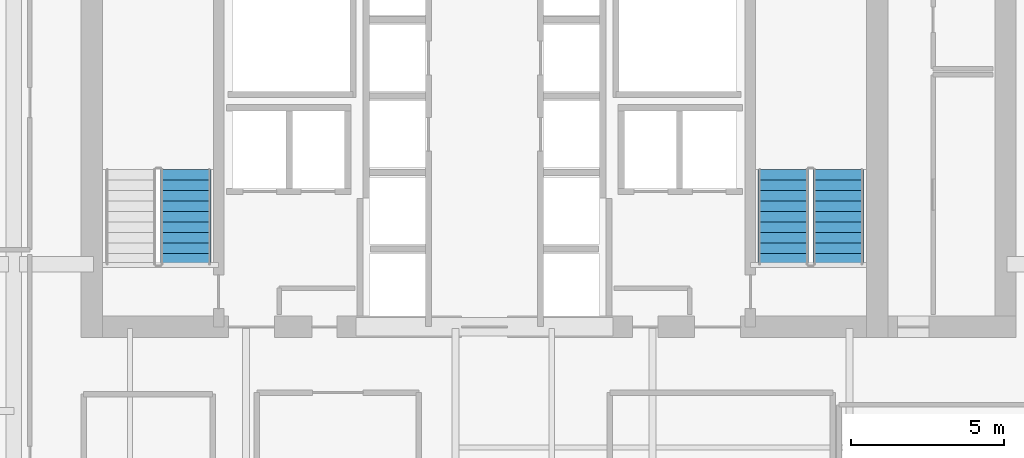
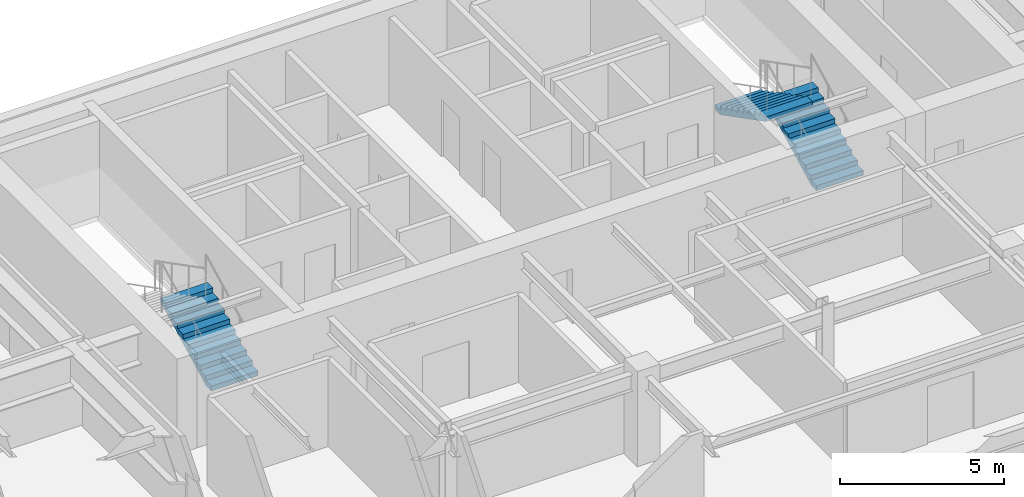
# One storey, part 13 of 14: 3 stair flights, 2 elements without a shape of their own.
"""IFC4 building model written with IfcOpenShell, lengths in metres."""

from ifc_helpers import new_model, si_unit, direction, frame, origin, place, context, subcontext, project, spatial, polyline, outline, extrude, material, type_object, element, aggregate, save


model = new_model("IFC4")

# Units and contexts
model_context = context("Model", 3, precision=1e-05, world=origin(), true_north=direction((0.0, 1.0)))
body_context = subcontext(model_context, "Body", "Model", "MODEL_VIEW")
ifc_project = project(units=[si_unit("LENGTHUNIT", "METRE"), si_unit("AREAUNIT", "SQUARE_METRE"), si_unit("VOLUMEUNIT", "CUBIC_METRE"), si_unit("PLANEANGLEUNIT", "RADIAN"), si_unit("MASSUNIT", "GRAM", prefix="KILO")], contexts=[model_context])

# Site, building, storey
site_placement = place(None, origin())
site = spatial("IfcSite", under=ifc_project, at=site_placement, CompositionType="ELEMENT")
building_placement = place(site_placement, origin())
building = spatial("IfcBuilding", under=site, at=building_placement, Name="Tolvann Quenvar Hotel", CompositionType="ELEMENT")
storey_placement = place(building_placement, frame((0.0, 0.0, 179.0)))
storey = spatial("IfcBuildingStorey", under=building, at=storey_placement, Name="L47", CompositionType="ELEMENT", Elevation=179.0)

# Stair, stair flight
ifc_material = material(Name="Concrete N40 (40 MPa)", Category="concrete")
stair_type = type_object("IfcStairType", Name="STAIR", PredefinedType="HALF_TURN_STAIR", material=ifc_material)
stair_1_placement = place(storey_placement, origin())
stair_1 = element("IfcStair", 1, at=stair_1_placement, inside=storey, type_object=stair_type, Name="L47 ST-C1", PredefinedType="HALF_TURN_STAIR")
stair_flight_type = type_object("IfcStairFlightType", Name="STAIR_FLIGHT", PredefinedType="STRAIGHT", material=ifc_material)
stair_flight_1_placement = place(storey_placement, frame((13.22509765625, 34.0, 0.0), z_axis=(0.0, 0.0, 1.0), x_axis=(0.0, 1.0, 0.0)))
stair_flight_1 = element("IfcStairFlight", 2, at=stair_flight_1_placement, type_object=stair_flight_type, Name="ST-C1 flight 1", NumberOfRisers=10, NumberOfTreads=9, PredefinedType="STRAIGHT", RiserHeight=0.1775, TreadLength=0.345, context=body_context, shape_type="SweptSolid", body=[
    extrude(outline(polyline([(0.0, 0.0), (0.0, 0.177490234375), (0.344970703125, 0.177490234375), (0.344970703125, 0.35498046875), (0.68994140625, 0.35498046875), (0.68994140625, 0.532470703125), (1.034912109375, 0.532470703125), (1.034912109375, 0.7099609375), (1.3798828125, 0.7099609375), (1.3798828125, 0.887451171875), (1.72509765625, 0.887451171875), (1.72509765625, 1.06494140625), (2.070068359375, 1.06494140625), (2.070068359375, 1.242431640625), (2.4150390625, 1.242431640625), (2.4150390625, 1.419921875), (2.760009765625, 1.419921875), (2.760009765625, 1.597412109375), (3.10498046875, 1.597412109375), (3.10498046875, 1.77490234375), (3.10498046875, 1.428955078125), (0.32763671875, 0.0), (0.0, 0.0)])), frame((0.0, 0.824951171875, 0.0), z_axis=(0.0, -1.0, 0.0), x_axis=(1.0, 0.0, 0.0)), (0.0, 0.0, 1.0), 1.64990234375),
])
aggregate(stair_1, [stair_flight_1])

# Stair, stair flights
stair_2_placement = place(storey_placement, origin())
stair_2 = element("IfcStair", 3, at=stair_2_placement, inside=storey, type_object=stair_type, Name="L47 ST-C2", PredefinedType="HALF_TURN_STAIR")
stair_flight_2_placement = place(storey_placement, frame((34.574951171875, 34.0, 0.0), z_axis=(0.0, 0.0, 1.0), x_axis=(0.0, 1.0, 0.0)))
stair_flight_2 = element("IfcStairFlight", 4, at=stair_flight_2_placement, type_object=stair_flight_type, Name="ST-C2 flight 1", NumberOfRisers=10, NumberOfTreads=9, PredefinedType="STRAIGHT", RiserHeight=0.1775, TreadLength=0.345, context=body_context, shape_type="SweptSolid", body=[
    extrude(outline(polyline([(0.0, 0.0), (0.0, 0.177490234375), (0.344970703125, 0.177490234375), (0.344970703125, 0.35498046875), (0.68994140625, 0.35498046875), (0.68994140625, 0.532470703125), (1.034912109375, 0.532470703125), (1.034912109375, 0.7099609375), (1.3798828125, 0.7099609375), (1.3798828125, 0.887451171875), (1.72509765625, 0.887451171875), (1.72509765625, 1.06494140625), (2.070068359375, 1.06494140625), (2.070068359375, 1.242431640625), (2.4150390625, 1.242431640625), (2.4150390625, 1.419921875), (2.760009765625, 1.419921875), (2.760009765625, 1.597412109375), (3.10498046875, 1.597412109375), (3.10498046875, 1.77490234375), (3.10498046875, 1.428955078125), (0.32763671875, 0.0), (0.0, 0.0)])), frame((0.0, 0.824951171875, 0.0), z_axis=(0.0, -1.0, 0.0), x_axis=(1.0, 0.0, 0.0)), (0.0, 0.0, 1.0), 1.64990234375),
])
stair_flight_3_placement = place(storey_placement, frame((32.77490234375, 37.10498046875, 1.77490234375), z_axis=(0.0, 0.0, 1.0), x_axis=(0.0, -1.0, 0.0)))
stair_flight_3 = element("IfcStairFlight", 5, at=stair_flight_3_placement, type_object=stair_flight_type, Name="ST-C2 flight 2", NumberOfRisers=10, NumberOfTreads=9, PredefinedType="STRAIGHT", RiserHeight=0.1775, TreadLength=0.345, context=body_context, shape_type="SweptSolid", body=[
    extrude(outline(polyline([(0.0, 0.0), (0.0, 0.177490234375), (0.344970703125, 0.177490234375), (0.344970703125, 0.35498046875), (0.68994140625, 0.35498046875), (0.68994140625, 0.532470703125), (1.034912109375, 0.532470703125), (1.034912109375, 0.7099609375), (1.3798828125, 0.7099609375), (1.3798828125, 0.887451171875), (1.72509765625, 0.887451171875), (1.72509765625, 1.06494140625), (2.070068359375, 1.06494140625), (2.070068359375, 1.242431640625), (2.4150390625, 1.242431640625), (2.4150390625, 1.419921875), (2.760009765625, 1.419921875), (2.760009765625, 1.597412109375), (3.10498046875, 1.597412109375), (3.10498046875, 1.77490234375), (3.10498046875, 1.428955078125), (0.32763671875, 0.0), (0.0, 0.0)])), frame((0.0, 0.824951171875, 0.0), z_axis=(0.0, -1.0, 0.0), x_axis=(1.0, 0.0, 0.0)), (0.0, 0.0, 1.0), 1.64990234375),
])
aggregate(stair_2, [stair_flight_2, stair_flight_3])

save(model, "model.ifc")
